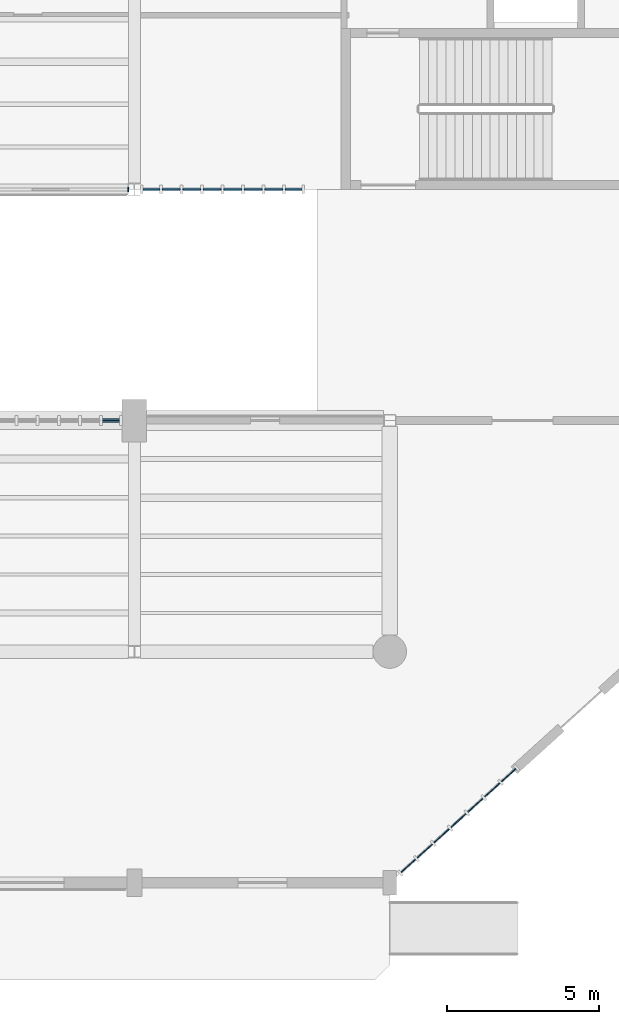
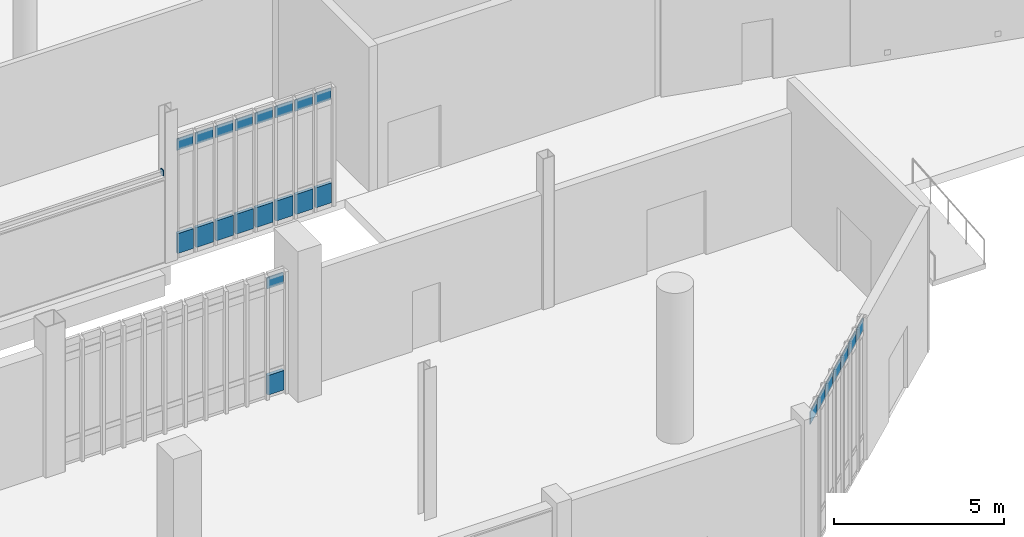
# One storey, part 74 of 111: 26 plates, 3 elements without a shape of their own.
"""IFC4 building model written with IfcOpenShell, lengths in metres."""

from ifc_helpers import new_model, si_unit, direction, frame, origin, origin_2d, place, context, subcontext, project, spatial, rectangle, extrude, material, layer, layer_set, type_object, element, aggregate, save


model = new_model("IFC4")

# Units and contexts
model_context = context("Model", 3, precision=1e-05, world=origin(), true_north=direction((0.0, 1.0)))
body_context = subcontext(model_context, "Body", "Model", "MODEL_VIEW")
ifc_project = project(units=[si_unit("LENGTHUNIT", "METRE"), si_unit("AREAUNIT", "SQUARE_METRE"), si_unit("VOLUMEUNIT", "CUBIC_METRE"), si_unit("PLANEANGLEUNIT", "RADIAN"), si_unit("MASSUNIT", "GRAM", prefix="KILO")], contexts=[model_context])

# Site, building, storey
site_placement = place(None, origin())
site = spatial("IfcSite", under=ifc_project, at=site_placement, CompositionType="ELEMENT")
building_placement = place(site_placement, origin())
building = spatial("IfcBuilding", under=site, at=building_placement, Name="Larkvane Passage Sports Hall", CompositionType="ELEMENT")
storey_placement = place(building_placement, origin())
storey = spatial("IfcBuildingStorey", under=building, at=storey_placement, Name="L00", CompositionType="ELEMENT", Elevation=0.0)

# Curtain wall, plates
ifc_material_1 = material(Name="Thermally broken aluminium and low-E glazing", Category="aluminium")
curtain_wall_type_1 = type_object("IfcCurtainWallType", Name="CW-STICK-FOYER", PredefinedType="USERDEFINED", material=ifc_material_1)
curtain_wall_1_placement = place(storey_placement, origin())
curtain_wall_1 = element("IfcCurtainWall", 1, at=curtain_wall_1_placement, inside=storey, type_object=curtain_wall_type_1, Name="Curtain wall CW5-L00-026", ObjectType="STICK CURTAIN WALL", PredefinedType="USERDEFINED")
ifc_material_2 = material(Name="Fire-stopped shadow-box spandrel panel")
ifc_layer_1 = layer(ifc_material_2, 0.10498046875)
ifc_layer_set_1 = layer_set([ifc_layer_1], Name="Fire-stopped shadow-box spandrel panel")
plate_type_1 = type_object("IfcPlateType", Name="CWP-SPD-105", PredefinedType="CURTAIN_PANEL", material=ifc_layer_set_1)
plate_1_placement = place(storey_placement, frame((82.039794921875, 22.800048828125, 0.08984375), z_axis=(0.0, 0.0, 1.0), x_axis=(-1.0, 0.0, 0.0)))
plate_1 = element("IfcPlate", 2, at=plate_1_placement, type_object=plate_type_1, Name="CW-03 panel 1.1", PredefinedType="CURTAIN_PANEL", context=body_context, shape_type="SweptSolid", body=[
    extrude(rectangle(XDim=0.540283203125, YDim=0.10498046875, at=origin_2d()), origin(), (0.0, 0.0, 1.0), 0.715087890625),
])
plate_2_placement = place(storey_placement, frame((81.38720703125, 22.800048828125, 0.08984375), z_axis=(0.0, 0.0, 1.0), x_axis=(-1.0, 0.0, 0.0)))
plate_2 = element("IfcPlate", 3, at=plate_2_placement, type_object=plate_type_1, Name="CW-03 panel 2.1", PredefinedType="CURTAIN_PANEL", context=body_context, shape_type="SweptSolid", body=[
    extrude(rectangle(XDim=0.585205078125, YDim=0.10498046875, at=origin_2d()), origin(), (0.0, 0.0, 1.0), 0.715087890625),
])
plate_3_placement = place(storey_placement, frame((80.7119140625, 22.800048828125, 0.08984375), z_axis=(0.0, 0.0, 1.0), x_axis=(-1.0, 0.0, 0.0)))
plate_3 = element("IfcPlate", 4, at=plate_3_placement, type_object=plate_type_1, Name="CW-03 panel 3.1", PredefinedType="CURTAIN_PANEL", context=body_context, shape_type="SweptSolid", body=[
    extrude(rectangle(XDim=0.585205078125, YDim=0.10498046875, at=origin_2d()), origin(), (0.0, 0.0, 1.0), 0.715087890625),
])
plate_4_placement = place(storey_placement, frame((80.036865234375, 22.800048828125, 0.08984375), z_axis=(0.0, 0.0, 1.0), x_axis=(-1.0, 0.0, 0.0)))
plate_4 = element("IfcPlate", 5, at=plate_4_placement, type_object=plate_type_1, Name="CW-03 panel 4.1", PredefinedType="CURTAIN_PANEL", context=body_context, shape_type="SweptSolid", body=[
    extrude(rectangle(XDim=0.585205078125, YDim=0.10498046875, at=origin_2d()), origin(), (0.0, 0.0, 1.0), 0.715087890625),
])
plate_5_placement = place(storey_placement, frame((79.361572265625, 22.800048828125, 0.08984375), z_axis=(0.0, 0.0, 1.0), x_axis=(-1.0, 0.0, 0.0)))
plate_5 = element("IfcPlate", 6, at=plate_5_placement, type_object=plate_type_1, Name="CW-03 panel 5.1", PredefinedType="CURTAIN_PANEL", context=body_context, shape_type="SweptSolid", body=[
    extrude(rectangle(XDim=0.585205078125, YDim=0.10498046875, at=origin_2d()), origin(), (0.0, 0.0, 1.0), 0.715087890625),
])
plate_6_placement = place(storey_placement, frame((78.6865234375, 22.800048828125, 0.08984375), z_axis=(0.0, 0.0, 1.0), x_axis=(-1.0, 0.0, 0.0)))
plate_6 = element("IfcPlate", 7, at=plate_6_placement, type_object=plate_type_1, Name="CW-03 panel 6.1", PredefinedType="CURTAIN_PANEL", context=body_context, shape_type="SweptSolid", body=[
    extrude(rectangle(XDim=0.585205078125, YDim=0.10498046875, at=origin_2d()), origin(), (0.0, 0.0, 1.0), 0.715087890625),
])
plate_7_placement = place(storey_placement, frame((78.01123046875, 22.800048828125, 0.08984375), z_axis=(0.0, 0.0, 1.0), x_axis=(-1.0, 0.0, 0.0)))
plate_7 = element("IfcPlate", 8, at=plate_7_placement, type_object=plate_type_1, Name="CW-03 panel 7.1", PredefinedType="CURTAIN_PANEL", context=body_context, shape_type="SweptSolid", body=[
    extrude(rectangle(XDim=0.585205078125, YDim=0.10498046875, at=origin_2d()), origin(), (0.0, 0.0, 1.0), 0.715087890625),
])
plate_8_placement = place(storey_placement, frame((77.358642578125, 22.800048828125, 0.08984375), z_axis=(0.0, 0.0, 1.0), x_axis=(-1.0, 0.0, 0.0)))
plate_8 = element("IfcPlate", 9, at=plate_8_placement, type_object=plate_type_1, Name="CW-03 panel 8.1", PredefinedType="CURTAIN_PANEL", context=body_context, shape_type="SweptSolid", body=[
    extrude(rectangle(XDim=0.540283203125, YDim=0.10498046875, at=origin_2d()), origin(), (0.0, 0.0, 1.0), 0.715087890625),
])

# Curtain wall, plate
curtain_wall_type_2 = type_object("IfcCurtainWallType", Name="CW-CLINIC", PredefinedType="USERDEFINED", material=ifc_material_1)
curtain_wall_2_placement = place(storey_placement, origin())
curtain_wall_2 = element("IfcCurtainWall", 10, at=curtain_wall_2_placement, inside=storey, type_object=curtain_wall_type_2, Name="Curtain wall CW5-L00-027", ObjectType="UNITISED CURTAIN WALL", PredefinedType="USERDEFINED")
ifc_material_3 = material(Name="Deep insulated facade spandrel panel")
ifc_layer_2 = layer(ifc_material_3, 0.125)
ifc_layer_set_2 = layer_set([ifc_layer_2], Name="Deep insulated facade spandrel panel")
plate_type_2 = type_object("IfcPlateType", Name="CWP-SPD-125", PredefinedType="CURTAIN_PANEL", material=ifc_layer_set_2)
plate_9_placement = place(storey_placement, frame((76.031005859375, 15.199951171875, 0.10009765625), z_axis=(0.0, 0.0, 1.0), x_axis=(1.0, 0.0, 0.0)))
plate_9 = element("IfcPlate", 11, at=plate_9_placement, type_object=plate_type_2, Name="CW-05 panel 11.1", PredefinedType="CURTAIN_PANEL", context=body_context, shape_type="SweptSolid", body=[
    extrude(rectangle(XDim=0.546142578125, YDim=0.125, at=origin_2d()), origin(), (0.0, 0.0, 1.0), 0.699951171875),
])

# Curtain wall, plates
curtain_wall_type_3 = type_object("IfcCurtainWallType", Name="CW-UNIT-VEIL", PredefinedType="USERDEFINED", material=ifc_material_1)
curtain_wall_3_placement = place(storey_placement, origin())
curtain_wall_3 = element("IfcCurtainWall", 12, at=curtain_wall_3_placement, inside=storey, type_object=curtain_wall_type_3, Name="Curtain wall CW5-L00-001", ObjectType="UNITISED CURTAIN WALL", PredefinedType="USERDEFINED")
ifc_material_4 = material(Name="Laminated acoustic low-E glazing", Category="glass")
ifc_layer_3 = layer(ifc_material_4, 0.031982421875)
ifc_layer_set_3 = layer_set([ifc_layer_3], Name="Laminated acoustic low-E glazing")
plate_type_3 = type_object("IfcPlateType", Name="CWP-VIS-32", PredefinedType="CURTAIN_PANEL", material=ifc_layer_set_3)
plate_10_placement = place(storey_placement, frame((89.10888671875, 3.53662109375, 4.58740234375), z_axis=(0.0, 0.0, 1.0), x_axis=(-0.741531704398, -0.670917827586, 0.0)))
plate_10 = element("IfcPlate", 13, at=plate_10_placement, type_object=plate_type_3, Name="CW-02 panel 1.3", PredefinedType="CURTAIN_PANEL", context=body_context, shape_type="SweptSolid", body=[
    extrude(rectangle(XDim=0.635009765625, YDim=0.031982421875, at=origin_2d()), origin(), (0.0, 0.0, 1.0), 0.4375),
])
plate_11_placement = place(storey_placement, frame((88.568603515625, 3.047607421875, 4.58740234375), z_axis=(0.0, 0.0, 1.0), x_axis=(-0.741531704398, -0.670917827586, 0.0)))
plate_11 = element("IfcPlate", 14, at=plate_11_placement, type_object=plate_type_3, Name="CW-02 panel 2.3", PredefinedType="CURTAIN_PANEL", context=body_context, shape_type="SweptSolid", body=[
    extrude(rectangle(XDim=0.672607421875, YDim=0.031982421875, at=origin_2d()), origin(), (0.0, 0.0, 1.0), 0.4375),
])
plate_12_placement = place(storey_placement, frame((88.01416015625, 2.546142578125, 4.58740234375), z_axis=(0.0, 0.0, 1.0), x_axis=(-0.741531704398, -0.670917827586, 0.0)))
plate_12 = element("IfcPlate", 15, at=plate_12_placement, type_object=plate_type_3, Name="CW-02 panel 3.3", PredefinedType="CURTAIN_PANEL", context=body_context, shape_type="SweptSolid", body=[
    extrude(rectangle(XDim=0.672607421875, YDim=0.031982421875, at=origin_2d()), origin(), (0.0, 0.0, 1.0), 0.4375),
])
plate_13_placement = place(storey_placement, frame((87.4599609375, 2.044677734375, 4.58740234375), z_axis=(0.0, 0.0, 1.0), x_axis=(-0.741531704398, -0.670917827586, 0.0)))
plate_13 = element("IfcPlate", 16, at=plate_13_placement, type_object=plate_type_3, Name="CW-02 panel 4.3", PredefinedType="CURTAIN_PANEL", context=body_context, shape_type="SweptSolid", body=[
    extrude(rectangle(XDim=0.672607421875, YDim=0.031982421875, at=origin_2d()), origin(), (0.0, 0.0, 1.0), 0.4375),
])
plate_14_placement = place(storey_placement, frame((86.905517578125, 1.543212890625, 4.58740234375), z_axis=(0.0, 0.0, 1.0), x_axis=(-0.741531704398, -0.670917827586, 0.0)))
plate_14 = element("IfcPlate", 17, at=plate_14_placement, type_object=plate_type_3, Name="CW-02 panel 5.3", PredefinedType="CURTAIN_PANEL", context=body_context, shape_type="SweptSolid", body=[
    extrude(rectangle(XDim=0.672607421875, YDim=0.031982421875, at=origin_2d()), origin(), (0.0, 0.0, 1.0), 0.4375),
])
plate_15_placement = place(storey_placement, frame((86.351318359375, 1.04150390625, 4.58740234375), z_axis=(0.0, 0.0, 1.0), x_axis=(-0.741531704398, -0.670917827586, 0.0)))
plate_15 = element("IfcPlate", 18, at=plate_15_placement, type_object=plate_type_3, Name="CW-02 panel 6.3", PredefinedType="CURTAIN_PANEL", context=body_context, shape_type="SweptSolid", body=[
    extrude(rectangle(XDim=0.672607421875, YDim=0.031982421875, at=origin_2d()), origin(), (0.0, 0.0, 1.0), 0.4375),
])
plate_16_placement = place(storey_placement, frame((85.810791015625, 0.552734375, 4.58740234375), z_axis=(0.0, 0.0, 1.0), x_axis=(-0.741531704398, -0.670917827586, 0.0)))
plate_16 = element("IfcPlate", 19, at=plate_16_placement, type_object=plate_type_3, Name="CW-02 panel 7.3", PredefinedType="CURTAIN_PANEL", context=body_context, shape_type="SweptSolid", body=[
    extrude(rectangle(XDim=0.635009765625, YDim=0.031982421875, at=origin_2d()), origin(), (0.0, 0.0, 1.0), 0.4375),
])
aggregate(curtain_wall_3, [plate_10, plate_11, plate_12, plate_13, plate_14, plate_15, plate_16])

# Plate
ifc_material_5 = material(Name="High-impact court low-E glazing", Category="glass")
ifc_layer_4 = layer(ifc_material_5, 0.035888671875)
ifc_layer_set_4 = layer_set([ifc_layer_4], Name="High-impact court low-E glazing")
plate_type_4 = type_object("IfcPlateType", Name="CWP-VIS-36", PredefinedType="CURTAIN_PANEL", material=ifc_layer_set_4)
plate_17_placement = place(storey_placement, frame((82.039794921875, 22.800048828125, 3.762939453125), z_axis=(0.0, 0.0, 1.0), x_axis=(-1.0, 0.0, 0.0)))
plate_17 = element("IfcPlate", 20, at=plate_17_placement, type_object=plate_type_4, Name="CW-03 panel 1.3", PredefinedType="CURTAIN_PANEL", context=body_context, shape_type="SweptSolid", body=[
    extrude(rectangle(XDim=0.540283203125, YDim=0.035888671875, at=origin_2d()), origin(), (0.0, 0.0, 1.0), 0.4150390625),
])

plate_18_placement = place(storey_placement, frame((81.38720703125, 22.800048828125, 3.762939453125), z_axis=(0.0, 0.0, 1.0), x_axis=(-1.0, 0.0, 0.0)))
plate_18 = element("IfcPlate", 21, at=plate_18_placement, type_object=plate_type_4, Name="CW-03 panel 2.3", PredefinedType="CURTAIN_PANEL", context=body_context, shape_type="SweptSolid", body=[
    extrude(rectangle(XDim=0.585205078125, YDim=0.035888671875, at=origin_2d()), origin(), (0.0, 0.0, 1.0), 0.4150390625),
])

plate_19_placement = place(storey_placement, frame((80.7119140625, 22.800048828125, 3.762939453125), z_axis=(0.0, 0.0, 1.0), x_axis=(-1.0, 0.0, 0.0)))
plate_19 = element("IfcPlate", 22, at=plate_19_placement, type_object=plate_type_4, Name="CW-03 panel 3.3", PredefinedType="CURTAIN_PANEL", context=body_context, shape_type="SweptSolid", body=[
    extrude(rectangle(XDim=0.585205078125, YDim=0.035888671875, at=origin_2d()), origin(), (0.0, 0.0, 1.0), 0.4150390625),
])

plate_20_placement = place(storey_placement, frame((80.036865234375, 22.800048828125, 3.762939453125), z_axis=(0.0, 0.0, 1.0), x_axis=(-1.0, 0.0, 0.0)))
plate_20 = element("IfcPlate", 23, at=plate_20_placement, type_object=plate_type_4, Name="CW-03 panel 4.3", PredefinedType="CURTAIN_PANEL", context=body_context, shape_type="SweptSolid", body=[
    extrude(rectangle(XDim=0.585205078125, YDim=0.035888671875, at=origin_2d()), origin(), (0.0, 0.0, 1.0), 0.4150390625),
])

plate_21_placement = place(storey_placement, frame((79.361572265625, 22.800048828125, 3.762939453125), z_axis=(0.0, 0.0, 1.0), x_axis=(-1.0, 0.0, 0.0)))
plate_21 = element("IfcPlate", 24, at=plate_21_placement, type_object=plate_type_4, Name="CW-03 panel 5.3", PredefinedType="CURTAIN_PANEL", context=body_context, shape_type="SweptSolid", body=[
    extrude(rectangle(XDim=0.585205078125, YDim=0.035888671875, at=origin_2d()), origin(), (0.0, 0.0, 1.0), 0.4150390625),
])

plate_22_placement = place(storey_placement, frame((78.6865234375, 22.800048828125, 3.762939453125), z_axis=(0.0, 0.0, 1.0), x_axis=(-1.0, 0.0, 0.0)))
plate_22 = element("IfcPlate", 25, at=plate_22_placement, type_object=plate_type_4, Name="CW-03 panel 6.3", PredefinedType="CURTAIN_PANEL", context=body_context, shape_type="SweptSolid", body=[
    extrude(rectangle(XDim=0.585205078125, YDim=0.035888671875, at=origin_2d()), origin(), (0.0, 0.0, 1.0), 0.4150390625),
])

plate_23_placement = place(storey_placement, frame((78.01123046875, 22.800048828125, 3.762939453125), z_axis=(0.0, 0.0, 1.0), x_axis=(-1.0, 0.0, 0.0)))
plate_23 = element("IfcPlate", 26, at=plate_23_placement, type_object=plate_type_4, Name="CW-03 panel 7.3", PredefinedType="CURTAIN_PANEL", context=body_context, shape_type="SweptSolid", body=[
    extrude(rectangle(XDim=0.585205078125, YDim=0.035888671875, at=origin_2d()), origin(), (0.0, 0.0, 1.0), 0.4150390625),
])

plate_24_placement = place(storey_placement, frame((77.358642578125, 22.800048828125, 3.762939453125), z_axis=(0.0, 0.0, 1.0), x_axis=(-1.0, 0.0, 0.0)))
plate_24 = element("IfcPlate", 27, at=plate_24_placement, type_object=plate_type_4, Name="CW-03 panel 8.3", PredefinedType="CURTAIN_PANEL", context=body_context, shape_type="SweptSolid", body=[
    extrude(rectangle(XDim=0.540283203125, YDim=0.035888671875, at=origin_2d()), origin(), (0.0, 0.0, 1.0), 0.4150390625),
])

aggregate(curtain_wall_1, [plate_1, plate_17, plate_2, plate_18, plate_3, plate_19, plate_4, plate_20, plate_5, plate_21, plate_6, plate_22, plate_7, plate_23, plate_8, plate_24])

ifc_material_6 = material(Name="Triple-laminated typhoon glazing", Category="glass")
ifc_layer_5 = layer(ifc_material_6, 0.0419921875)
ifc_layer_set_5 = layer_set([ifc_layer_5], Name="Triple-laminated typhoon glazing")
plate_type_5 = type_object("IfcPlateType", Name="CWP-VIS-42", PredefinedType="CURTAIN_PANEL", material=ifc_layer_set_5)
plate_25_placement = place(storey_placement, frame((76.031005859375, 15.199951171875, 3.885986328125), z_axis=(0.0, 0.0, 1.0), x_axis=(1.0, 0.0, 0.0)))
plate_25 = element("IfcPlate", 28, at=plate_25_placement, type_object=plate_type_5, Name="CW-05 panel 11.3", PredefinedType="CURTAIN_PANEL", context=body_context, shape_type="SweptSolid", body=[
    extrude(rectangle(XDim=0.546142578125, YDim=0.0419921875, at=origin_2d()), origin(), (0.0, 0.0, 1.0), 0.39990234375),
])

aggregate(curtain_wall_2, [plate_9, plate_25])

ifc_material_7 = material(Name="Steel S355JR", Category="steel")
ifc_layer_6 = layer(ifc_material_7, 0.011962890625)
ifc_layer_set_6 = layer_set([ifc_layer_6], Name="Steel S355JR")
plate_type_6 = type_object("IfcPlateType", Name="PLT-CAP-12", PredefinedType="SHEET", material=ifc_layer_set_6)
plate_26_placement = place(storey_placement, frame((76.603515625, 22.800048828125, 3.044921875), z_axis=(0.0, 0.0, 1.0), x_axis=(0.0, 1.0, 0.0)))
element("IfcPlate", 29, at=plate_26_placement, inside=storey, type_object=plate_type_6, Name="Hollow section sealed end cap plate 0078", PredefinedType="SHEET", context=body_context, shape_type="SweptSolid", body=[
    extrude(rectangle(XDim=0.159912109375, YDim=0.028076171875, at=origin_2d()), origin(), (0.0, 0.0, 1.0), 0.2099609375),
])

save(model, "model.ifc")
